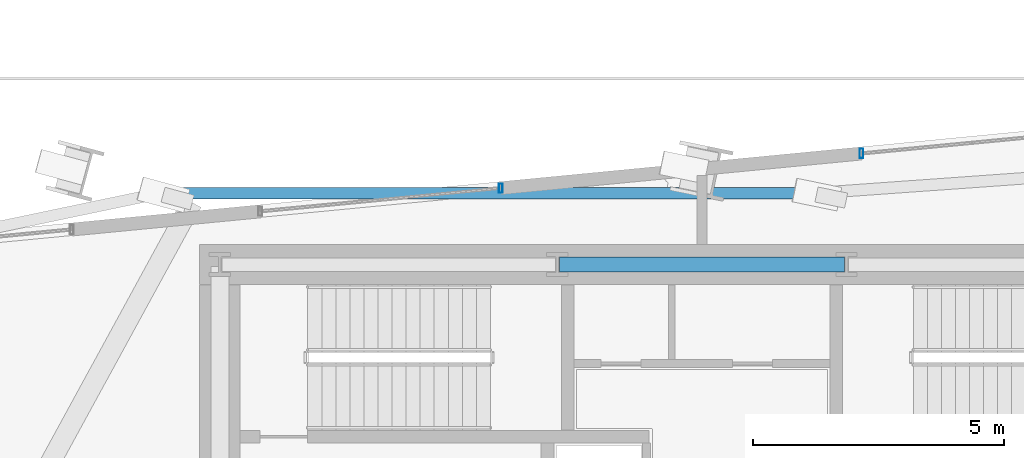
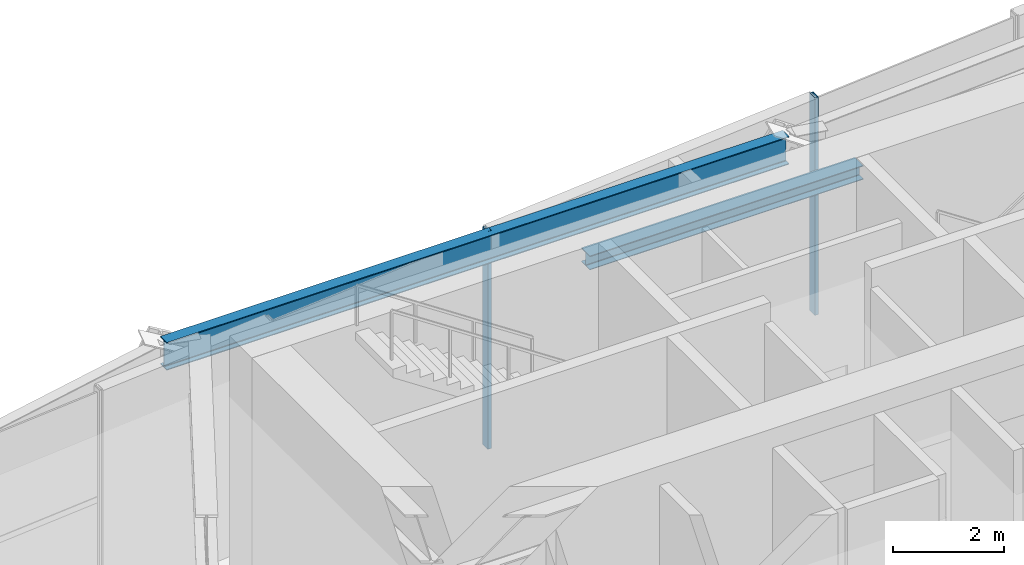
# One storey, part 8 of 28: 2 beams, 2 members, 2 elements without a shape of their own.
"""IFC4 building model written with IfcOpenShell, lengths in metres."""

import ifcopenshell
import ifcopenshell.guid

model = None  # the IFC model being written
_history = None  # IfcOwnerHistory: only IFC2X3 demands one
_inside = {}  # id of a spatial element -> (the spatial element, [elements in it])
_under = {}  # id of a project, library or spatial element -> (it, [spatial elements below it])
_declared = {}  # id of a project -> (the project, [libraries it declares])
_typed = {}  # id of a type object -> (the type object, [elements of that type])
_made_of = {}  # id of a material, layer set ... -> (it, [elements and type objects made of it])


def new_model(schema):
    """Start an empty IFC model of exactly this schema.

    Asked for "IFC4X3", IfcOpenShell would pick the latest addendum, in which some entities
    have other attributes; the version numbers below select the first issue.
    IFC2X3 requires an IfcOwnerHistory on every rooted entity: one is made here for all.
    """
    global model, _history
    if schema == "IFC4X3":
        model = ifcopenshell.file(schema_version=(4, 3, 0, 0))
    else:
        model = ifcopenshell.file(schema=schema)
    _inside.clear()
    _under.clear()
    _declared.clear()
    _typed.clear()
    _made_of.clear()
    _history = None
    if model.schema == "IFC2X3":
        org = make("IfcOrganization", Name="unknown")
        user = make(
            "IfcPersonAndOrganization",
            ThePerson=make("IfcPerson", FamilyName="unknown"),
            TheOrganization=org,
        )
        app = make(
            "IfcApplication",
            ApplicationDeveloper=org,
            Version="unknown",
            ApplicationFullName="unknown",
            ApplicationIdentifier="unknown",
        )
        _history = make(
            "IfcOwnerHistory",
            OwningUser=user,
            OwningApplication=app,
            ChangeAction="ADDED",
            CreationDate=0,
        )
    return model


def make(cls, **values):
    """One entity of the class cls with the attributes given. An attribute that is None is left unset."""
    return model.create_entity(
        cls, **{name: value for name, value in values.items() if value is not None}
    )


def rooted(cls, **values):
    """An entity with a GlobalId (a new one), such as an element, a storey or a relation."""
    return make(cls, GlobalId=ifcopenshell.guid.new(), OwnerHistory=_history, **values)


def si_unit(unit_type, name, prefix=None):
    """IfcSIUnit, for example si_unit("LENGTHUNIT", "METRE", prefix="MILLI")."""
    return make("IfcSIUnit", UnitType=unit_type, Prefix=prefix, Name=name)


def assignment(units):
    """IfcUnitAssignment: the units of a project."""
    return None if units is None else make("IfcUnitAssignment", Units=units)


def point(xyz):
    """IfcCartesianPoint."""
    return None if xyz is None else make("IfcCartesianPoint", Coordinates=xyz)


def direction(xyz):
    """IfcDirection."""
    return None if xyz is None else make("IfcDirection", DirectionRatios=xyz)


def frame(location, z_axis=None, x_axis=None):
    """IfcAxis2Placement3D, a coordinate frame: its origin and axes. An axis left out is left unset."""
    return make(
        "IfcAxis2Placement3D",
        Location=point(location),
        Axis=direction(z_axis),
        RefDirection=direction(x_axis),
    )


def frame_2d(location, x_axis=None):
    """IfcAxis2Placement2D, a coordinate frame in the plane: its origin and x axis."""
    return make(
        "IfcAxis2Placement2D", Location=point(location), RefDirection=direction(x_axis)
    )


def origin():
    """The frame at (0, 0, 0) with its axes left unset."""
    return frame((0.0, 0.0, 0.0))


def origin_2d():
    """The frame at (0, 0) in the plane with its x axis left unset."""
    return frame_2d((0.0, 0.0))


def place(relative_to, where):
    """IfcLocalPlacement: puts the frame where relative to a parent placement (None: the world)."""
    return make(
        "IfcLocalPlacement", PlacementRelTo=relative_to, RelativePlacement=where
    )


def context(
    kind, dimensions, precision=None, world=None, true_north=None, identifier=None
):
    """IfcGeometricRepresentationContext, for example the 3D "Model" context."""
    return make(
        "IfcGeometricRepresentationContext",
        ContextIdentifier=identifier,
        ContextType=kind,
        CoordinateSpaceDimension=dimensions,
        Precision=precision,
        WorldCoordinateSystem=world,
        TrueNorth=true_north,
    )


def subcontext(parent, identifier, kind, view, scale=None):
    """IfcGeometricRepresentationSubContext, for example "Body" below "Model"."""
    return make(
        "IfcGeometricRepresentationSubContext",
        ContextIdentifier=identifier,
        ContextType=kind,
        ParentContext=parent,
        TargetScale=scale,
        TargetView=view,
    )


def project(units=None, contexts=None):
    """IfcProject with its units and contexts."""
    return rooted(
        "IfcProject",
        Name="project",
        RepresentationContexts=contexts,
        UnitsInContext=assignment(units),
    )


def spatial(cls, under=None, at=None, **own):
    """A site, building, storey or space (cls), placed at a placement, below another one or the project."""
    s = rooted(cls, ObjectPlacement=at, **own)
    if under is not None:
        _under.setdefault(under.id(), (under, []))[1].append(s)
    return s


def profile(cls, at=None, kind="AREA", **sizes):
    """A parametric profile (cls). Its sizes go by their IFC names, for example OverallWidth=200.0."""
    return make(cls, ProfileType=kind, Position=at, **sizes)


def hollow_rectangle(**sizes):
    """IfcRectangleHollowProfileDef."""
    return profile("IfcRectangleHollowProfileDef", **sizes)


def i_section(**sizes):
    """IfcIShapeProfileDef."""
    return profile("IfcIShapeProfileDef", **sizes)


def extrude(swept, where, along, depth):
    """IfcExtrudedAreaSolid: the profile swept, set in the frame where, extruded along a direction by depth."""
    return make(
        "IfcExtrudedAreaSolid",
        SweptArea=swept,
        Position=where,
        ExtrudedDirection=direction(along),
        Depth=depth,
    )


def shape(context_of_items, identifier, shape_type, items):
    """IfcShapeRepresentation: the items that make up one representation, for example the "Body"."""
    return make(
        "IfcShapeRepresentation",
        ContextOfItems=context_of_items,
        RepresentationIdentifier=identifier,
        RepresentationType=shape_type,
        Items=items,
    )


def source(mapping_origin, context_of_items, identifier, shape_type, items):
    """IfcRepresentationMap: a shape defined once, which mapped items show again and again."""
    return make(
        "IfcRepresentationMap",
        MappingOrigin=mapping_origin,
        MappedRepresentation=shape(context_of_items, identifier, shape_type, items),
    )


def transform(
    local_origin,
    x_axis=None,
    y_axis=None,
    z_axis=None,
    scale=None,
    scale2=None,
    scale3=None,
    uniform=True,
):
    """IfcCartesianTransformationOperator3D, or its non-uniform kind. x_axis, y_axis, z_axis: its Axis1, 2, 3."""
    if uniform:
        return make(
            "IfcCartesianTransformationOperator3D",
            Axis1=direction(x_axis),
            Axis2=direction(y_axis),
            LocalOrigin=point(local_origin),
            Scale=scale,
            Axis3=direction(z_axis),
        )
    return make(
        "IfcCartesianTransformationOperator3DnonUniform",
        Axis1=direction(x_axis),
        Axis2=direction(y_axis),
        LocalOrigin=point(local_origin),
        Scale=scale,
        Axis3=direction(z_axis),
        Scale2=scale2,
        Scale3=scale3,
    )


def mapped(mapping_source, mapping_target):
    """IfcMappedItem: shows the shape of a source again, moved by a transform."""
    return make(
        "IfcMappedItem", MappingSource=mapping_source, MappingTarget=mapping_target
    )


def material(Name=None, Category=None):
    """IfcMaterial."""
    return make("IfcMaterial", Name=Name, Category=Category)


def material_profile(
    of_material, cross_section, Name=None, Category=None, Priority=None
):
    """IfcMaterialProfile: a cross section and its material."""
    return make(
        "IfcMaterialProfile",
        Name=Name,
        Material=of_material,
        Profile=cross_section,
        Priority=Priority,
        Category=Category,
    )


def profile_set(profiles, Name=None, composite=None):
    """IfcMaterialProfileSet."""
    return make(
        "IfcMaterialProfileSet",
        Name=Name,
        MaterialProfiles=profiles,
        CompositeProfile=composite,
    )


def made_of(thing, what):
    """Note that an element or type object is made of a material, layer set ...; save() writes the relation."""
    if what is not None:
        _made_of.setdefault(what.id(), (what, []))[1].append(thing)
    return thing


def type_object(cls, material=None, **own):
    """A type object (cls), such as IfcWallType, which elements share."""
    return made_of(rooted(cls, **own), material)


def type_shapes(of_type, sources):
    """Give a type object the sources (RepresentationMaps) that its elements show as mapped items."""
    of_type.RepresentationMaps = sources


def element(
    cls,
    number,
    at=None,
    inside=None,
    cuts=None,
    type_object=None,
    material=None,
    context=None,
    identifier="Body",
    shape_type=None,
    held_by="IfcProductDefinitionShape",
    body=None,
    shapes=None,
    **own,
):
    """One element of the class cls, such as IfcWall. Its Tag is "e" and its number.

    at: its placement. inside: the storey or other place that contains it. cuts: it is an
    opening in that element (IfcRelVoidsElement). A single representation is given by context,
    identifier, shape_type and body (its items); several are given by shapes. held_by: the class
    of the entity that holds the representations. save() writes the other relations.
    """
    e = rooted(cls, Tag="e%d" % number, ObjectPlacement=at, **own)
    if body is not None:
        shapes = [shape(context, identifier, shape_type, body)]
    if shapes is not None:
        e.Representation = make(held_by, Representations=shapes)
    if inside is not None:
        _inside.setdefault(inside.id(), (inside, []))[1].append(e)
    if cuts is not None:
        rooted(
            "IfcRelVoidsElement", RelatingBuildingElement=cuts, RelatedOpeningElement=e
        )
    if type_object is not None:
        _typed.setdefault(type_object.id(), (type_object, []))[1].append(e)
    return made_of(e, material)


def aggregate(whole, parts):
    """IfcRelAggregates: a whole, such as a stair, and the parts it consists of."""
    return rooted("IfcRelAggregates", RelatingObject=whole, RelatedObjects=parts)


def save(model, path):
    """Write the relations noted so far, then the file.

    IfcRelAggregates (storeys below a building ...), IfcRelContainedInSpatialStructure (elements
    in a storey), IfcRelDefinesByType, IfcRelAssociatesMaterial and IfcRelDeclares: one each for
    every whole, place, type object, material and project.
    """
    for whole, parts in _under.values():
        aggregate(whole, parts)
    for where, things in _inside.values():
        rooted(
            "IfcRelContainedInSpatialStructure",
            RelatedElements=things,
            RelatingStructure=where,
        )
    for kind, things in _typed.values():
        rooted("IfcRelDefinesByType", RelatedObjects=things, RelatingType=kind)
    for what, things in _made_of.values():
        rooted("IfcRelAssociatesMaterial", RelatedObjects=things, RelatingMaterial=what)
    for by, libraries in _declared.values():
        rooted("IfcRelDeclares", RelatingContext=by, RelatedDefinitions=libraries)
    model.write(path)


model = new_model("IFC4")

# Units and contexts
model_context = context("Model", 3, precision=1e-05, world=origin(), true_north=direction((0.0, 1.0)))
body_context = subcontext(model_context, "Body", "Model", "MODEL_VIEW")
ifc_project = project(units=[si_unit("LENGTHUNIT", "METRE"), si_unit("AREAUNIT", "SQUARE_METRE"), si_unit("VOLUMEUNIT", "CUBIC_METRE"), si_unit("PLANEANGLEUNIT", "RADIAN"), si_unit("MASSUNIT", "GRAM", prefix="KILO")], contexts=[model_context])

# Site, building, storey
site_placement = place(None, origin())
site = spatial("IfcSite", under=ifc_project, at=site_placement, CompositionType="ELEMENT")
building_placement = place(site_placement, origin())
building = spatial("IfcBuilding", under=site, at=building_placement, Name="Astriad Promenade Condominiums", CompositionType="ELEMENT")
storey_placement = place(building_placement, frame((0.0, 0.0, 72.60009765625)))
storey = spatial("IfcBuildingStorey", under=building, at=storey_placement, Name="L20", CompositionType="ELEMENT", Elevation=72.60009765625)

# Beams
ifc_material_1 = material(Name="Steel ASTM A992 Grade 50", Category="steel")
ifc_material_profile_1 = material_profile(ifc_material_1, i_section(OverallWidth=0.3046875, OverallDepth=0.307861328125, WebThickness=0.010009765625, FlangeThickness=0.015380859375, FilletRadius=0.01513671875, at=origin_2d()), Name="W12X65")
ifc_profile_set_1 = profile_set([ifc_material_profile_1], Name="Steel ASTM A992 Grade 50")
beam_type_1 = type_object("IfcBeamType", Name="STEEL OPENING LINTEL W12X65", PredefinedType="LINTEL", material=ifc_profile_set_1)
shared_shape_1 = source(origin(), body_context, "Body", "SweptSolid", [
    extrude(i_section(OverallWidth=0.3046875, OverallDepth=0.307861328125, WebThickness=0.010009765625, FlangeThickness=0.015380859375, FilletRadius=0.01513671875, at=origin_2d()), origin(), (0.0, 0.0, 1.0), 5.68017578125),
])
type_shapes(beam_type_1, [shared_shape_1])
beam_1_placement = place(storey_placement, frame((33.159912109375, 24.0, 4.6259765625), z_axis=(1.0, 0.0, 0.0), x_axis=(0.0, 1.0, 0.0)))
element("IfcBeam", 1, at=beam_1_placement, inside=storey, type_object=beam_type_1, Name="Core Ring Beam CG-N2-L20", PredefinedType="LINTEL", context=body_context, shape_type="MappedRepresentation", body=[
    mapped(shared_shape_1, transform((0.0, 0.0, 0.0), scale=1.0)),
])
ifc_material_profile_2 = material_profile(ifc_material_1, i_section(OverallWidth=0.22900390625, OverallDepth=0.612060546875, WebThickness=0.011962890625, FlangeThickness=0.01953125, FilletRadius=0.017822265625, at=origin_2d()), Name="W24X84")
ifc_profile_set_2 = profile_set([ifc_material_profile_2], Name="Steel ASTM A992 Grade 50")
beam_type_2 = type_object("IfcBeamType", Name="STEEL SPANDREL BEAM W24X84", PredefinedType="SPANDREL", material=ifc_profile_set_2)
shared_shape_2 = source(origin(), body_context, "Body", "SweptSolid", [
    extrude(i_section(OverallWidth=0.22900390625, OverallDepth=0.612060546875, WebThickness=0.011962890625, FlangeThickness=0.01953125, FilletRadius=0.017822265625, at=origin_2d()), origin(), (0.0, 0.0, 1.0), 12.916748046875),
])
type_shapes(beam_type_2, [shared_shape_2])
beam_2_placement = place(storey_placement, frame((38.13671875, 25.41650390625, 4.473876953125), z_axis=(-1.0, 0.0, 0.0), x_axis=(0.0, -1.0, 0.0)))
element("IfcBeam", 2, at=beam_2_placement, inside=storey, type_object=beam_type_2, Name="Perimeter Spandrel Beam SP-N2-L20", PredefinedType="SPANDREL", context=body_context, shape_type="MappedRepresentation", body=[
    mapped(shared_shape_2, transform((0.0, 0.0, 0.0), scale=1.0)),
])

# Curtain wall, member
ifc_material_2 = material(Name="Anodised aluminium Black Dark Glass Unitised", Category="aluminium")
curtain_wall_type = type_object("IfcCurtainWallType", Name="CW-B2-DARK", PredefinedType="USERDEFINED", material=ifc_material_2)
curtain_wall_1_placement = place(storey_placement, origin())
curtain_wall_1 = element("IfcCurtainWall", 3, at=curtain_wall_1_placement, inside=storey, type_object=curtain_wall_type, Name="CW-L20-N-2", ObjectType="UNITISED_CURTAIN_WALL", PredefinedType="USERDEFINED")
ifc_material_3 = material(Name="Anodised aluminium 6063-T6 Black", Category="aluminium")
ifc_material_profile_3 = material_profile(ifc_material_3, hollow_rectangle(XDim=0.074951171875, YDim=0.18505859375, WallThickness=0.00439453125, at=origin_2d()), Name="ALU-MUL-75X185")
ifc_profile_set_3 = profile_set([ifc_material_profile_3], Name="Anodised aluminium 6063-T6 Black")
member_type = type_object("IfcMemberType", Name="MUL-ALU-MUL-75X185", PredefinedType="MULLION", material=ifc_profile_set_3)
shared_shape_3 = source(origin(), body_context, "Body", "SweptSolid", [
    extrude(hollow_rectangle(XDim=0.074951171875, YDim=0.18505859375, WallThickness=0.00439453125, at=origin_2d()), origin(), (0.0, 0.0, 1.0), 4.77978515625),
])
type_shapes(member_type, [shared_shape_3])
member_1_placement = place(storey_placement, frame((31.992919921875, 25.521728515625, 0.0), z_axis=(0.0, 0.0, 1.0), x_axis=(1.0, 0.0, 0.0)))
member_1 = element("IfcMember", 4, at=member_1_placement, type_object=member_type, Name="CW-L20-N-2-MUL-01", PredefinedType="MULLION", context=body_context, shape_type="MappedRepresentation", body=[
    mapped(shared_shape_3, transform((0.0, 0.0, 0.0), scale=1.0)),
])
aggregate(curtain_wall_1, [member_1])

curtain_wall_2_placement = place(storey_placement, origin())
curtain_wall_2 = element("IfcCurtainWall", 5, at=curtain_wall_2_placement, inside=storey, type_object=curtain_wall_type, Name="CW-L20-N-3", ObjectType="UNITISED_CURTAIN_WALL", PredefinedType="USERDEFINED")
member_2_placement = place(storey_placement, frame((39.1796875, 26.213623046875, 0.0), z_axis=(0.0, 0.0, 1.0), x_axis=(1.0, 0.0, 0.0)))
member_2 = element("IfcMember", 6, at=member_2_placement, type_object=member_type, Name="CW-L20-N-3-MUL-00", PredefinedType="MULLION", context=body_context, shape_type="MappedRepresentation", body=[
    mapped(shared_shape_3, transform((0.0, 0.0, 0.0), scale=1.0)),
])
aggregate(curtain_wall_2, [member_2])

save(model, "model.ifc")
